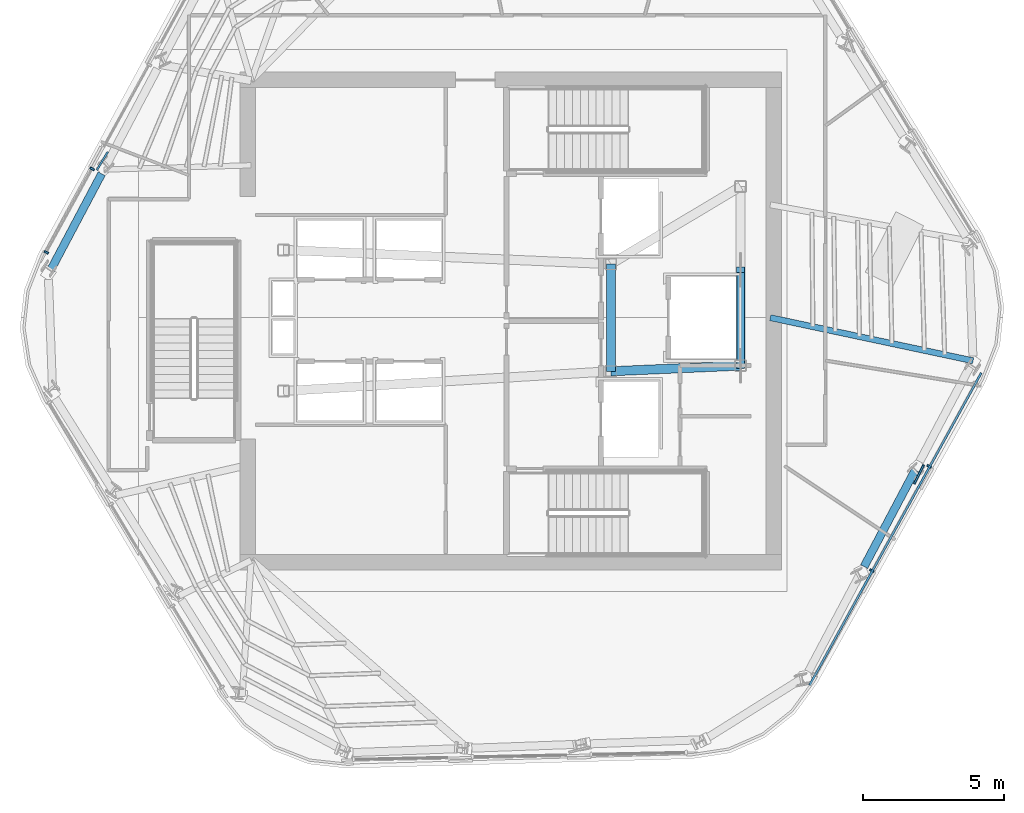
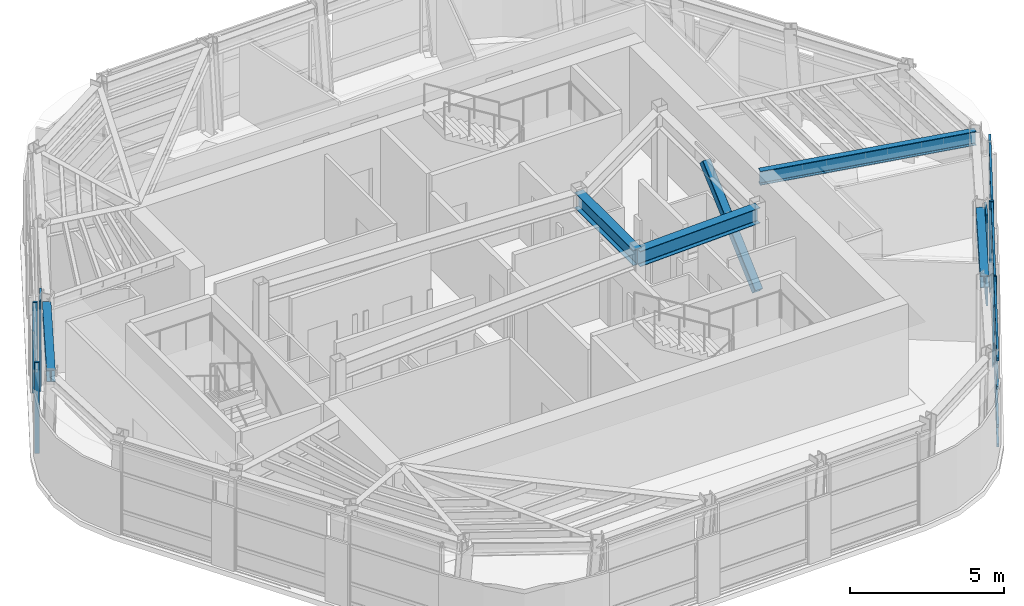
# One storey, part 3 of 13: 11 members, 5 beams, 2 elements without a shape of their own.
"""IFC4 building model written with IfcOpenShell, lengths in metres."""

from ifc_helpers import new_model, si_unit, direction, frame, origin, origin_2d, place, context, subcontext, project, spatial, rectangle, hollow_rectangle, i_section, extrude, material, layer, layer_set, material_profile, profile_set, type_object, element, aggregate, save


model = new_model("IFC4")

# Units and contexts
model_context = context("Model", 3, precision=1e-05, world=origin(), true_north=direction((0.0, 1.0)))
body_context = subcontext(model_context, "Body", "Model", "MODEL_VIEW")
ifc_project = project(units=[si_unit("LENGTHUNIT", "METRE"), si_unit("AREAUNIT", "SQUARE_METRE"), si_unit("VOLUMEUNIT", "CUBIC_METRE"), si_unit("PLANEANGLEUNIT", "RADIAN"), si_unit("MASSUNIT", "GRAM", prefix="KILO")], contexts=[model_context])

# Site, building, storey
site_placement = place(None, origin())
site = spatial("IfcSite", under=ifc_project, at=site_placement, CompositionType="ELEMENT")
building_placement = place(site_placement, origin())
building = spatial("IfcBuilding", under=site, at=building_placement, Name="Valkerne Bourse Tower", CompositionType="ELEMENT")
storey_placement = place(building_placement, frame((0.0, 0.0, 288.800048828125)))
storey = spatial("IfcBuildingStorey", under=building, at=storey_placement, Name="L73", CompositionType="ELEMENT", Elevation=288.800048828125)

# Beams
ifc_material_1 = material(Name="Steel ASTM A992", Category="steel")
ifc_material_profile_1 = material_profile(ifc_material_1, i_section(OverallWidth=0.284423828125, OverallDepth=0.47509765625, WebThickness=0.014892578125, FlangeThickness=0.02392578125, FilletRadius=0.017822265625, at=origin_2d()), Name="W18X106")
ifc_profile_set_1 = profile_set([ifc_material_profile_1], Name="Steel ASTM A992")
beam_type_1 = type_object("IfcBeamType", Name="BM-W18X106", PredefinedType="BEAM", material=ifc_profile_set_1)
for number, where, z_axis, x_axis, name in (
    (1, (32.302978515625, 32.1005859375, 3.362548828125), (-0.467948552929, -0.88375570822, 0.0), (0.88375570822, -0.467948552929, 0.0), "L73 Hexagonal Spandrel Ring Beam 06"),
    (2, (59.326171875, 18.177001953125, 3.362548828125), (0.467948552929, 0.88375570822, 0.0), (-0.88375570822, 0.467948552929, 0.0), "L73 Hexagonal Spandrel Ring Beam 17"),
):
    element("IfcBeam", number, at=place(storey_placement, frame(where, z_axis=z_axis, x_axis=x_axis)), inside=storey, type_object=beam_type_1, Name=name, PredefinedType="BEAM", context=body_context, shape_type="SweptSolid", body=[
        extrude(i_section(OverallWidth=0.284423828125, OverallDepth=0.47509765625, WebThickness=0.014892578125, FlangeThickness=0.02392578125, FilletRadius=0.017822265625, at=origin_2d()), origin(), (0.0, 0.0, 1.0), 3.872314453125),
    ])
ifc_material_profile_2 = material_profile(ifc_material_1, i_section(OverallWidth=0.2138671875, OverallDepth=0.548583984375, WebThickness=0.0146484375, FlangeThickness=0.023681640625, FilletRadius=0.017822265625, at=origin_2d()), Name="W21X93")
ifc_profile_set_2 = profile_set([ifc_material_profile_2], Name="Steel ASTM A992")
beam_type_2 = type_object("IfcBeamType", Name="BM-W21X93", PredefinedType="BEAM", material=ifc_profile_set_2)
beam_1_placement = place(storey_placement, frame((63.1884765625, 25.4716796875, 3.32568359375), z_axis=(-0.978137569724, 0.20795887741, 0.0), x_axis=(-0.20795887741, -0.978137569724, 0.0)))
element("IfcBeam", 3, at=beam_1_placement, inside=storey, type_object=beam_type_2, Name="L73 Radial Composite Floor Beam 19", PredefinedType="BEAM", context=body_context, shape_type="SweptSolid", body=[
    extrude(i_section(OverallWidth=0.2138671875, OverallDepth=0.548583984375, WebThickness=0.0146484375, FlangeThickness=0.023681640625, FilletRadius=0.017822265625, at=origin_2d()), origin(), (0.0, 0.0, 1.0), 7.34912109375),
])
ifc_material_profile_3 = material_profile(ifc_material_1, i_section(OverallWidth=0.3251953125, OverallDepth=0.612060546875, WebThickness=0.0126953125, FlangeThickness=0.01904296875, FilletRadius=0.020263671875, at=origin_2d()), Name="W24X104")
ifc_profile_set_3 = profile_set([ifc_material_profile_3], Name="Steel ASTM A992")
beam_type_3 = type_object("IfcBeamType", Name="BM-W24X104", PredefinedType="BEAM", material=ifc_profile_set_3)
beam_2_placement = place(storey_placement, frame((50.35009765625, 25.10009765625, 3.2939453125), z_axis=(0.0, 1.0, 0.0), x_axis=(-1.0, 0.0, 0.0)))
element("IfcBeam", 4, at=beam_2_placement, inside=storey, type_object=beam_type_3, Name="L73 Core Frame Girder CG-CE", PredefinedType="BEAM", context=body_context, shape_type="SweptSolid", body=[
    extrude(i_section(OverallWidth=0.3251953125, OverallDepth=0.612060546875, WebThickness=0.0126953125, FlangeThickness=0.01904296875, FilletRadius=0.020263671875, at=origin_2d()), origin(), (0.0, 0.0, 1.0), 3.7998046875),
])
beam_3_placement = place(storey_placement, frame((50.35009765625, 25.10009765625, 3.2939453125), z_axis=(0.999056558506, 0.043428019819, 0.0), x_axis=(-0.043428019819, 0.999056558506, 0.0)))
element("IfcBeam", 5, at=beam_3_placement, inside=storey, type_object=beam_type_3, Name="L73 Core Frame Girder CG-SE", PredefinedType="BEAM", context=body_context, shape_type="SweptSolid", body=[
    extrude(i_section(OverallWidth=0.3251953125, OverallDepth=0.612060546875, WebThickness=0.0126953125, FlangeThickness=0.01904296875, FilletRadius=0.020263671875, at=origin_2d()), origin(), (0.0, 0.0, 1.0), 4.604248046875),
])

# Curtain wall, members
ifc_material_2 = material(Name="Aluminium AA 6063-T6", Category="aluminium")
ifc_layer = layer(ifc_material_2, 0.2451171875)
ifc_layer_set = layer_set([ifc_layer], Name="Aluminium AA 6063-T6")
curtain_wall_type = type_object("IfcCurtainWallType", Name="CW-05", PredefinedType="NOTDEFINED", material=ifc_layer_set)
curtain_wall_1_placement = place(storey_placement, origin())
curtain_wall_1 = element("IfcCurtainWall", 6, at=curtain_wall_1_placement, inside=storey, type_object=curtain_wall_type, Name="L73 Hexagonal Stick Curtain Wall Face 2", PredefinedType="NOTDEFINED")
ifc_material_profile_4 = material_profile(ifc_material_2, rectangle(XDim=0.074951171875, YDim=0.159912109375, at=origin_2d()), Name="CWM-75X160")
ifc_profile_set_4 = profile_set([ifc_material_profile_4], Name="Aluminium AA 6063-T6")
member_type_1 = type_object("IfcMemberType", Name="CW-MUL-160X75", PredefinedType="MULLION", material=ifc_profile_set_4)
member_1_placement = place(storey_placement, frame((31.96630859375, 32.272216796875, 0.0), z_axis=(0.0, 0.0, 1.0), x_axis=(-0.481763806894, -0.876301109418, 0.0)))
member_1 = element("IfcMember", 7, at=member_1_placement, type_object=member_type_1, Name="CW-L73-F2 Jamb Mullion 02A", PredefinedType="MULLION", context=body_context, shape_type="SweptSolid", body=[
    extrude(rectangle(XDim=0.074951171875, YDim=0.159912109375, at=origin_2d()), origin(), (0.0, 0.0, 1.0), 3.599853515625),
])
member_2_placement = place(storey_placement, frame((30.341796875, 29.3173828125, 0.0), z_axis=(0.0, 0.0, 1.0), x_axis=(-0.481763806894, -0.876301109418, 0.0)))
member_2 = element("IfcMember", 8, at=member_2_placement, type_object=member_type_1, Name="CW-L73-F2 Jamb Mullion 02B", PredefinedType="MULLION", context=body_context, shape_type="SweptSolid", body=[
    extrude(rectangle(XDim=0.074951171875, YDim=0.159912109375, at=origin_2d()), origin(), (0.0, 0.0, 1.0), 3.599853515625),
])
aggregate(curtain_wall_1, [member_1, member_2])

curtain_wall_2_placement = place(storey_placement, origin())
curtain_wall_2 = element("IfcCurtainWall", 9, at=curtain_wall_2_placement, inside=storey, type_object=curtain_wall_type, Name="L73 Hexagonal Stick Curtain Wall Face 5", PredefinedType="NOTDEFINED")
member_3_placement = place(storey_placement, frame((59.6044921875, 18.03662109375, 0.0), z_axis=(0.0, 0.0, 1.0), x_axis=(0.481735552691, 0.87631664213, 0.0)))
member_3 = element("IfcMember", 10, at=member_3_placement, type_object=member_type_1, Name="CW-L73-F5 Jamb Mullion 01A", PredefinedType="MULLION", context=body_context, shape_type="SweptSolid", body=[
    extrude(rectangle(XDim=0.074951171875, YDim=0.159912109375, at=origin_2d()), origin(), (0.0, 0.0, 1.0), 3.599853515625),
])
member_4_placement = place(storey_placement, frame((61.633544921875, 21.727783203125, 0.0), z_axis=(0.0, 0.0, 1.0), x_axis=(0.481763806894, 0.876301109418, 0.0)))
member_4 = element("IfcMember", 11, at=member_4_placement, type_object=member_type_1, Name="CW-L73-F5 Jamb Mullion 02A", PredefinedType="MULLION", context=body_context, shape_type="SweptSolid", body=[
    extrude(rectangle(XDim=0.074951171875, YDim=0.159912109375, at=origin_2d()), origin(), (0.0, 0.0, 1.0), 3.599853515625),
])
ifc_material_profile_5 = material_profile(ifc_material_2, rectangle(XDim=0.074951171875, YDim=0.1201171875, at=origin_2d()), Name="CWT-75X120")
ifc_profile_set_5 = profile_set([ifc_material_profile_5], Name="Aluminium AA 6063-T6")
member_type_2 = type_object("IfcMemberType", Name="CW-TRN-120X75", PredefinedType="USERDEFINED", material=ifc_profile_set_5)
member_5_placement = place(storey_placement, frame((57.390380859375, 13.968017578125, 0.119873046875), z_axis=(0.481766697029, 0.876299520503, 0.0), x_axis=(-0.876299520503, 0.481766697029, 0.0)))
member_5 = element("IfcMember", 12, at=member_5_placement, type_object=member_type_2, Name="CW-L73-F5 Continuous Face Transom 1", ObjectType="TRANSOM", PredefinedType="USERDEFINED", context=body_context, shape_type="SweptSolid", body=[
    extrude(rectangle(XDim=0.074951171875, YDim=0.1201171875, at=origin_2d()), origin(), (0.0, 0.0, 1.0), 12.635986328125),
])
member_6_placement = place(storey_placement, frame((57.390380859375, 13.968017578125, 0.89990234375), z_axis=(0.481766697029, 0.876299520503, 0.0), x_axis=(-0.876299520503, 0.481766697029, 0.0)))
member_6 = element("IfcMember", 13, at=member_6_placement, type_object=member_type_2, Name="CW-L73-F5 Continuous Face Transom 2", ObjectType="TRANSOM", PredefinedType="USERDEFINED", context=body_context, shape_type="SweptSolid", body=[
    extrude(rectangle(XDim=0.074951171875, YDim=0.1201171875, at=origin_2d()), origin(), (0.0, 0.0, 1.0), 12.635986328125),
])
member_7_placement = place(storey_placement, frame((57.390380859375, 13.968017578125, 2.39990234375), z_axis=(0.481766697029, 0.876299520503, 0.0), x_axis=(-0.876299520503, 0.481766697029, 0.0)))
member_7 = element("IfcMember", 14, at=member_7_placement, type_object=member_type_2, Name="CW-L73-F5 Continuous Face Transom 3", ObjectType="TRANSOM", PredefinedType="USERDEFINED", context=body_context, shape_type="SweptSolid", body=[
    extrude(rectangle(XDim=0.074951171875, YDim=0.1201171875, at=origin_2d()), origin(), (0.0, 0.0, 1.0), 12.635986328125),
])
member_8_placement = place(storey_placement, frame((57.390380859375, 13.968017578125, 3.52001953125), z_axis=(0.481766697029, 0.876299520503, 0.0), x_axis=(-0.876299520503, 0.481766697029, 0.0)))
member_8 = element("IfcMember", 15, at=member_8_placement, type_object=member_type_2, Name="CW-L73-F5 Continuous Face Transom 4", ObjectType="TRANSOM", PredefinedType="USERDEFINED", context=body_context, shape_type="SweptSolid", body=[
    extrude(rectangle(XDim=0.074951171875, YDim=0.1201171875, at=origin_2d()), origin(), (0.0, 0.0, 1.0), 12.635986328125),
])
aggregate(curtain_wall_2, [member_5, member_6, member_7, member_8, member_3, member_4])

# Members
ifc_material_3 = material(Name="Bronze Anodised Aluminium AA 6063-T6", Category="aluminium")
ifc_material_profile_6 = material_profile(ifc_material_3, rectangle(XDim=0.06494140625, YDim=0.75, at=origin_2d()), Name="FIN-65X750")
ifc_profile_set_6 = profile_set([ifc_material_profile_6], Name="Bronze Anodised Aluminium AA 6063-T6")
member_type_3 = type_object("IfcMemberType", Name="FIN-SOLAR-650", PredefinedType="USERDEFINED", material=ifc_profile_set_6)
for number, where, z_axis, x_axis, name in (
    (16, (32.326416015625, 32.5537109375, 0.00390625), (0.0, 0.0, 1.0), (-0.856597985252, 0.515984390909, 0.0), "L73 Bronze Anodised Solar Fin F2-02"),
    (17, (61.2734375, 21.4462890625, 0.00390625), (0.0, 0.0, 1.0), (0.894637851026, -0.446792027136, 0.0), "L73 Bronze Anodised Solar Fin F5-02"),
):
    element("IfcMember", number, at=place(storey_placement, frame(where, z_axis=z_axis, x_axis=x_axis)), inside=storey, type_object=member_type_3, Name=name, ObjectType="SOLAR_FIN", PredefinedType="USERDEFINED", context=body_context, shape_type="SweptSolid", body=[
        extrude(rectangle(XDim=0.06494140625, YDim=0.75, at=origin_2d()), origin(), (0.0, 0.0, 1.0), 3.592041015625),
    ])
ifc_material_4 = material(Name="Steel ASTM A500 Grade C", Category="steel")
ifc_material_profile_7 = material_profile(ifc_material_4, hollow_rectangle(XDim=0.300048828125, YDim=0.300048828125, WallThickness=0.012451171875, OuterFilletRadius=0.02490234375, at=origin_2d()), Name="HSS300X300X12.5")
ifc_profile_set_7 = profile_set([ifc_material_profile_7], Name="Steel ASTM A500 Grade C")
member_type_4 = type_object("IfcMemberType", Name="MBR-HSS300X300X12.5", PredefinedType="STRUT", material=ifc_profile_set_7)
member_9_placement = place(storey_placement, frame((54.949951171875, 25.300048828125, 0.219970703125), z_axis=(0.0, 0.741766660352, 0.670658051163), x_axis=(-1.0, 0.0, 0.0)))
element("IfcMember", 18, at=member_9_placement, inside=storey, type_object=member_type_4, Name="L73 Core Service Pier Lateral Brace", PredefinedType="STRUT", context=body_context, shape_type="SweptSolid", body=[
    extrude(hollow_rectangle(XDim=0.300048828125, YDim=0.300048828125, WallThickness=0.012451171875, OuterFilletRadius=0.02490234375, at=origin_2d()), origin(), (0.0, 0.0, 1.0), 4.58349609375),
])

save(model, "model.ifc")
